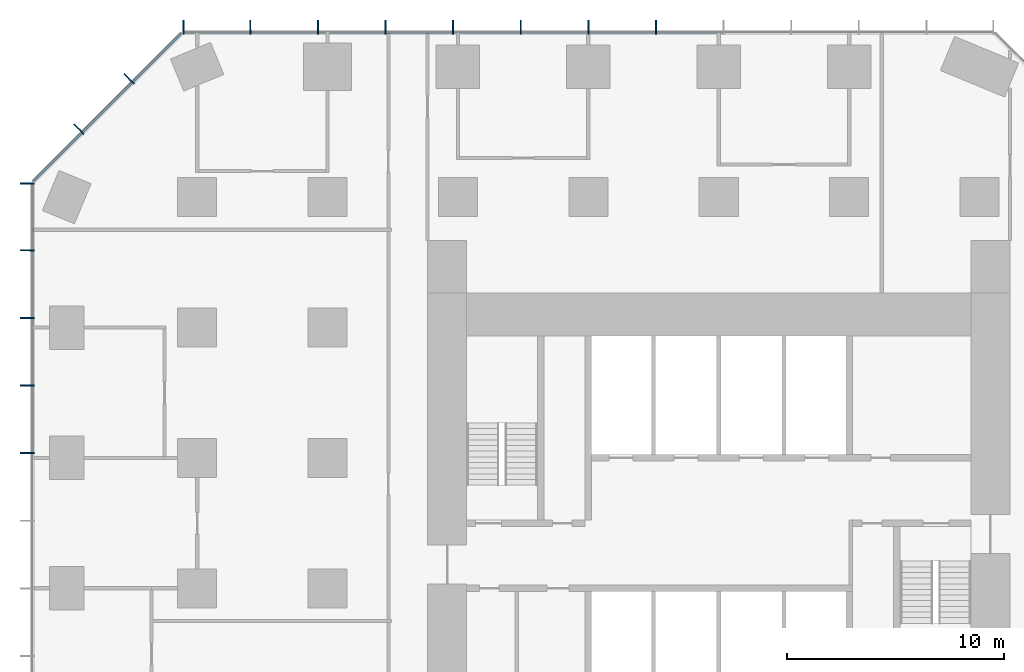
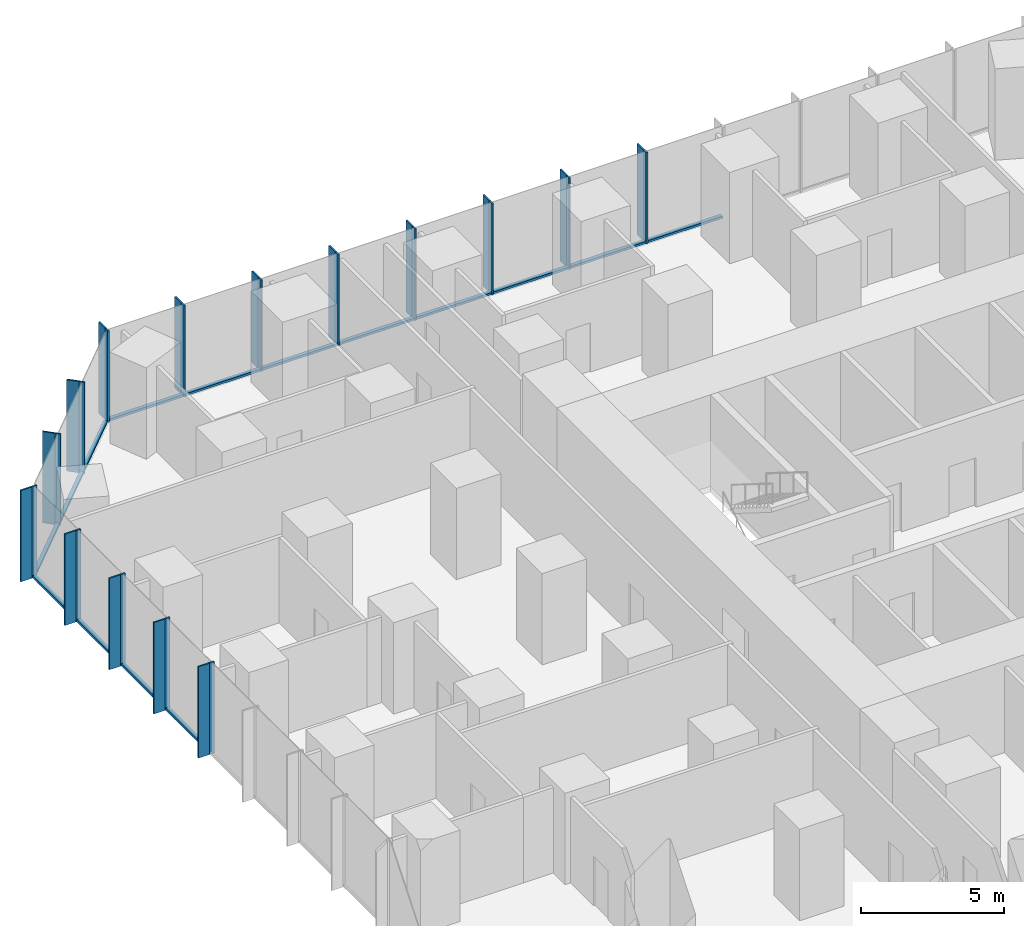
# One storey, part 5 of 11: 45 members, 3 elements without a shape of their own.
"""IFC4 building model written with IfcOpenShell, lengths in metres."""

from ifc_helpers import new_model, si_unit, direction, frame, origin, origin_2d, place, context, subcontext, project, spatial, rectangle, extrude, material, layer, layer_set, material_profile, profile_set, type_object, element, aggregate, save


model = new_model("IFC4")

# Units and contexts
model_context = context("Model", 3, precision=1e-05, world=origin(), true_north=direction((0.0, 1.0)))
body_context = subcontext(model_context, "Body", "Model", "MODEL_VIEW")
ifc_project = project(units=[si_unit("LENGTHUNIT", "METRE"), si_unit("AREAUNIT", "SQUARE_METRE"), si_unit("VOLUMEUNIT", "CUBIC_METRE"), si_unit("PLANEANGLEUNIT", "RADIAN"), si_unit("MASSUNIT", "GRAM", prefix="KILO")], contexts=[model_context])

# Site, building, storey
site_placement = place(None, origin())
site = spatial("IfcSite", under=ifc_project, at=site_placement, CompositionType="ELEMENT")
building_placement = place(site_placement, origin())
building = spatial("IfcBuilding", under=site, at=building_placement, Name="Highveld Stack Headquarters", CompositionType="ELEMENT")
storey_placement = place(building_placement, frame((0.0, 0.0, 29.89990234375)))
storey = spatial("IfcBuildingStorey", under=building, at=storey_placement, Name="L06", CompositionType="ELEMENT", Elevation=29.89990234375)

# Curtain wall, members
ifc_material_1 = material(Name="Aluminium bronze anodised", Category="aluminium")
ifc_layer_1 = layer(ifc_material_1, 0.199951171875)
ifc_layer_set_1 = layer_set([ifc_layer_1], Name="Aluminium bronze anodised")
curtain_wall_type_1 = type_object("IfcCurtainWallType", Name="CW1 TOWER UNITISED CURTAIN WALL", PredefinedType="NOTDEFINED", material=ifc_layer_set_1)
curtain_wall_1_placement = place(storey_placement, origin())
curtain_wall_1 = element("IfcCurtainWall", 1, at=curtain_wall_1_placement, inside=storey, type_object=curtain_wall_type_1, Name="Curtain wall CW1 L06 N", PredefinedType="NOTDEFINED")
ifc_material_2 = material(Name="Aluminium bronze anodised", Category="aluminium")
ifc_material_profile_1 = material_profile(ifc_material_2, rectangle(XDim=0.449951171875, YDim=0.06005859375, at=origin_2d()), Name="FIN 450x60")
ifc_profile_set_1 = profile_set([ifc_material_profile_1], Name="Aluminium bronze anodised")
member_type_1 = type_object("IfcMemberType", Name="CW1 BRONZE FIN 450x60", PredefinedType="USERDEFINED", material=ifc_profile_set_1)
member_1_placement = place(storey_placement, frame((3.110595703125, 25.925048828125, 0.0), z_axis=(0.0, 0.0, 1.0), x_axis=(0.0, -1.0, 0.0)))
member_1 = element("IfcMember", 2, at=member_1_placement, type_object=member_type_1, Name="CW1 fin L06 6", ObjectType="FIN", PredefinedType="USERDEFINED", context=body_context, shape_type="SweptSolid", body=[
    extrude(rectangle(XDim=0.449951171875, YDim=0.06005859375, at=origin_2d()), origin(), (0.0, 0.0, 1.0), 3.900146484375),
])
member_2_placement = place(storey_placement, frame((0.0, 25.925048828125, 0.0), z_axis=(0.0, 0.0, 1.0), x_axis=(0.0, -1.0, 0.0)))
member_2 = element("IfcMember", 3, at=member_2_placement, type_object=member_type_1, Name="CW1 fin L06 7", ObjectType="FIN", PredefinedType="USERDEFINED", context=body_context, shape_type="SweptSolid", body=[
    extrude(rectangle(XDim=0.449951171875, YDim=0.06005859375, at=origin_2d()), origin(), (0.0, 0.0, 1.0), 3.900146484375),
])
member_3_placement = place(storey_placement, frame((-3.110595703125, 25.925048828125, 0.0), z_axis=(0.0, 0.0, 1.0), x_axis=(0.0, -1.0, 0.0)))
member_3 = element("IfcMember", 4, at=member_3_placement, type_object=member_type_1, Name="CW1 fin L06 8", ObjectType="FIN", PredefinedType="USERDEFINED", context=body_context, shape_type="SweptSolid", body=[
    extrude(rectangle(XDim=0.449951171875, YDim=0.06005859375, at=origin_2d()), origin(), (0.0, 0.0, 1.0), 3.900146484375),
])
member_4_placement = place(storey_placement, frame((-6.220947265625, 25.925048828125, 0.0), z_axis=(0.0, 0.0, 1.0), x_axis=(0.0, -1.0, 0.0)))
member_4 = element("IfcMember", 5, at=member_4_placement, type_object=member_type_1, Name="CW1 fin L06 9", ObjectType="FIN", PredefinedType="USERDEFINED", context=body_context, shape_type="SweptSolid", body=[
    extrude(rectangle(XDim=0.449951171875, YDim=0.06005859375, at=origin_2d()), origin(), (0.0, 0.0, 1.0), 3.900146484375),
])
member_5_placement = place(storey_placement, frame((-9.331298828125, 25.925048828125, 0.0), z_axis=(0.0, 0.0, 1.0), x_axis=(0.0, -1.0, 0.0)))
member_5 = element("IfcMember", 6, at=member_5_placement, type_object=member_type_1, Name="CW1 fin L06 10", ObjectType="FIN", PredefinedType="USERDEFINED", context=body_context, shape_type="SweptSolid", body=[
    extrude(rectangle(XDim=0.449951171875, YDim=0.06005859375, at=origin_2d()), origin(), (0.0, 0.0, 1.0), 3.900146484375),
])
member_6_placement = place(storey_placement, frame((-12.44189453125, 25.925048828125, 0.0), z_axis=(0.0, 0.0, 1.0), x_axis=(0.0, -1.0, 0.0)))
member_6 = element("IfcMember", 7, at=member_6_placement, type_object=member_type_1, Name="CW1 fin L06 11", ObjectType="FIN", PredefinedType="USERDEFINED", context=body_context, shape_type="SweptSolid", body=[
    extrude(rectangle(XDim=0.449951171875, YDim=0.06005859375, at=origin_2d()), origin(), (0.0, 0.0, 1.0), 3.900146484375),
])
member_7_placement = place(storey_placement, frame((-15.55224609375, 25.925048828125, 0.0), z_axis=(0.0, 0.0, 1.0), x_axis=(0.0, -1.0, 0.0)))
member_7 = element("IfcMember", 8, at=member_7_placement, type_object=member_type_1, Name="CW1 fin L06 12", ObjectType="FIN", PredefinedType="USERDEFINED", context=body_context, shape_type="SweptSolid", body=[
    extrude(rectangle(XDim=0.449951171875, YDim=0.06005859375, at=origin_2d()), origin(), (0.0, 0.0, 1.0), 3.900146484375),
])
member_8_placement = place(storey_placement, frame((-18.630126953125, 25.925048828125, 0.0), z_axis=(0.0, 0.0, 1.0), x_axis=(0.0, -1.0, 0.0)))
member_8 = element("IfcMember", 9, at=member_8_placement, type_object=member_type_1, Name="CW1 fin L06 13", ObjectType="FIN", PredefinedType="USERDEFINED", context=body_context, shape_type="SweptSolid", body=[
    extrude(rectangle(XDim=0.449951171875, YDim=0.06005859375, at=origin_2d()), origin(), (0.0, 0.0, 1.0), 3.900146484375),
])

curtain_wall_2_placement = place(storey_placement, origin())
curtain_wall_2 = element("IfcCurtainWall", 10, at=curtain_wall_2_placement, inside=storey, type_object=curtain_wall_type_1, Name="Curtain wall CW1 L06 W", PredefinedType="NOTDEFINED")
member_9_placement = place(storey_placement, frame((-25.925048828125, 18.630126953125, 0.0), z_axis=(0.0, 0.0, 1.0), x_axis=(1.0, 0.0, 0.0)))
member_9 = element("IfcMember", 11, at=member_9_placement, type_object=member_type_1, Name="CW1 fin L06 1", ObjectType="FIN", PredefinedType="USERDEFINED", context=body_context, shape_type="SweptSolid", body=[
    extrude(rectangle(XDim=0.449951171875, YDim=0.06005859375, at=origin_2d()), origin(), (0.0, 0.0, 1.0), 3.900146484375),
])
member_10_placement = place(storey_placement, frame((-25.925048828125, 15.55224609375, 0.0), z_axis=(0.0, 0.0, 1.0), x_axis=(1.0, 0.0, 0.0)))
member_10 = element("IfcMember", 12, at=member_10_placement, type_object=member_type_1, Name="CW1 fin L06 2", ObjectType="FIN", PredefinedType="USERDEFINED", context=body_context, shape_type="SweptSolid", body=[
    extrude(rectangle(XDim=0.449951171875, YDim=0.06005859375, at=origin_2d()), origin(), (0.0, 0.0, 1.0), 3.900146484375),
])
member_11_placement = place(storey_placement, frame((-25.925048828125, 12.44189453125, 0.0), z_axis=(0.0, 0.0, 1.0), x_axis=(1.0, 0.0, 0.0)))
member_11 = element("IfcMember", 13, at=member_11_placement, type_object=member_type_1, Name="CW1 fin L06 3", ObjectType="FIN", PredefinedType="USERDEFINED", context=body_context, shape_type="SweptSolid", body=[
    extrude(rectangle(XDim=0.449951171875, YDim=0.06005859375, at=origin_2d()), origin(), (0.0, 0.0, 1.0), 3.900146484375),
])
member_12_placement = place(storey_placement, frame((-25.925048828125, 9.331298828125, 0.0), z_axis=(0.0, 0.0, 1.0), x_axis=(1.0, 0.0, 0.0)))
member_12 = element("IfcMember", 14, at=member_12_placement, type_object=member_type_1, Name="CW1 fin L06 4", ObjectType="FIN", PredefinedType="USERDEFINED", context=body_context, shape_type="SweptSolid", body=[
    extrude(rectangle(XDim=0.449951171875, YDim=0.06005859375, at=origin_2d()), origin(), (0.0, 0.0, 1.0), 3.900146484375),
])
member_13_placement = place(storey_placement, frame((-25.925048828125, 6.220947265625, 0.0), z_axis=(0.0, 0.0, 1.0), x_axis=(1.0, 0.0, 0.0)))
member_13 = element("IfcMember", 15, at=member_13_placement, type_object=member_type_1, Name="CW1 fin L06 5", ObjectType="FIN", PredefinedType="USERDEFINED", context=body_context, shape_type="SweptSolid", body=[
    extrude(rectangle(XDim=0.449951171875, YDim=0.06005859375, at=origin_2d()), origin(), (0.0, 0.0, 1.0), 3.900146484375),
])

# Member
ifc_material_3 = material(Name="Aluminium bronze anodised", Category="aluminium")
ifc_material_profile_2 = material_profile(ifc_material_3, rectangle(XDim=0.199951171875, YDim=0.06494140625, at=origin_2d()), Name="CW1 MULLION 65x200")
ifc_profile_set_2 = profile_set([ifc_material_profile_2], Name="Aluminium bronze anodised")
member_type_2 = type_object("IfcMemberType", Name="CW1 MULLION 65x200", PredefinedType="MULLION", material=ifc_profile_set_2)
member_14_placement = place(storey_placement, frame((3.110595703125, 25.60009765625, 0.0), z_axis=(0.0, 0.0, 1.0), x_axis=(0.0, -1.0, 0.0)))
member_14 = element("IfcMember", 16, at=member_14_placement, type_object=member_type_2, Name="CW1 mullion L06 6", PredefinedType="MULLION", context=body_context, shape_type="SweptSolid", body=[
    extrude(rectangle(XDim=0.199951171875, YDim=0.06494140625, at=origin_2d()), origin(), (0.0, 0.0, 1.0), 3.900146484375),
])

member_15_placement = place(storey_placement, frame((0.0, 25.60009765625, 0.0), z_axis=(0.0, 0.0, 1.0), x_axis=(0.0, -1.0, 0.0)))
member_15 = element("IfcMember", 17, at=member_15_placement, type_object=member_type_2, Name="CW1 mullion L06 7", PredefinedType="MULLION", context=body_context, shape_type="SweptSolid", body=[
    extrude(rectangle(XDim=0.199951171875, YDim=0.06494140625, at=origin_2d()), origin(), (0.0, 0.0, 1.0), 3.900146484375),
])

member_16_placement = place(storey_placement, frame((-3.110595703125, 25.60009765625, 0.0), z_axis=(0.0, 0.0, 1.0), x_axis=(0.0, -1.0, 0.0)))
member_16 = element("IfcMember", 18, at=member_16_placement, type_object=member_type_2, Name="CW1 mullion L06 8", PredefinedType="MULLION", context=body_context, shape_type="SweptSolid", body=[
    extrude(rectangle(XDim=0.199951171875, YDim=0.06494140625, at=origin_2d()), origin(), (0.0, 0.0, 1.0), 3.900146484375),
])

member_17_placement = place(storey_placement, frame((-6.220947265625, 25.60009765625, 0.0), z_axis=(0.0, 0.0, 1.0), x_axis=(0.0, -1.0, 0.0)))
member_17 = element("IfcMember", 19, at=member_17_placement, type_object=member_type_2, Name="CW1 mullion L06 9", PredefinedType="MULLION", context=body_context, shape_type="SweptSolid", body=[
    extrude(rectangle(XDim=0.199951171875, YDim=0.06494140625, at=origin_2d()), origin(), (0.0, 0.0, 1.0), 3.900146484375),
])

member_18_placement = place(storey_placement, frame((-9.331298828125, 25.60009765625, 0.0), z_axis=(0.0, 0.0, 1.0), x_axis=(0.0, -1.0, 0.0)))
member_18 = element("IfcMember", 20, at=member_18_placement, type_object=member_type_2, Name="CW1 mullion L06 10", PredefinedType="MULLION", context=body_context, shape_type="SweptSolid", body=[
    extrude(rectangle(XDim=0.199951171875, YDim=0.06494140625, at=origin_2d()), origin(), (0.0, 0.0, 1.0), 3.900146484375),
])

member_19_placement = place(storey_placement, frame((-12.44189453125, 25.60009765625, 0.0), z_axis=(0.0, 0.0, 1.0), x_axis=(0.0, -1.0, 0.0)))
member_19 = element("IfcMember", 21, at=member_19_placement, type_object=member_type_2, Name="CW1 mullion L06 11", PredefinedType="MULLION", context=body_context, shape_type="SweptSolid", body=[
    extrude(rectangle(XDim=0.199951171875, YDim=0.06494140625, at=origin_2d()), origin(), (0.0, 0.0, 1.0), 3.900146484375),
])

member_20_placement = place(storey_placement, frame((-15.55224609375, 25.60009765625, 0.0), z_axis=(0.0, 0.0, 1.0), x_axis=(0.0, -1.0, 0.0)))
member_20 = element("IfcMember", 22, at=member_20_placement, type_object=member_type_2, Name="CW1 mullion L06 12", PredefinedType="MULLION", context=body_context, shape_type="SweptSolid", body=[
    extrude(rectangle(XDim=0.199951171875, YDim=0.06494140625, at=origin_2d()), origin(), (0.0, 0.0, 1.0), 3.900146484375),
])

member_21_placement = place(storey_placement, frame((-18.630126953125, 25.60009765625, 0.0), z_axis=(0.0, 0.0, 1.0), x_axis=(0.0, -1.0, 0.0)))
member_21 = element("IfcMember", 23, at=member_21_placement, type_object=member_type_2, Name="CW1 mullion L06 13", PredefinedType="MULLION", context=body_context, shape_type="SweptSolid", body=[
    extrude(rectangle(XDim=0.199951171875, YDim=0.06494140625, at=origin_2d()), origin(), (0.0, 0.0, 1.0), 3.900146484375),
])

member_22_placement = place(storey_placement, frame((-25.60009765625, 18.630126953125, 0.0), z_axis=(0.0, 0.0, 1.0), x_axis=(1.0, 0.0, 0.0)))
member_22 = element("IfcMember", 24, at=member_22_placement, type_object=member_type_2, Name="CW1 mullion L06 1", PredefinedType="MULLION", context=body_context, shape_type="SweptSolid", body=[
    extrude(rectangle(XDim=0.199951171875, YDim=0.06494140625, at=origin_2d()), origin(), (0.0, 0.0, 1.0), 3.900146484375),
])

member_23_placement = place(storey_placement, frame((-25.60009765625, 15.55224609375, 0.0), z_axis=(0.0, 0.0, 1.0), x_axis=(1.0, 0.0, 0.0)))
member_23 = element("IfcMember", 25, at=member_23_placement, type_object=member_type_2, Name="CW1 mullion L06 2", PredefinedType="MULLION", context=body_context, shape_type="SweptSolid", body=[
    extrude(rectangle(XDim=0.199951171875, YDim=0.06494140625, at=origin_2d()), origin(), (0.0, 0.0, 1.0), 3.900146484375),
])

member_24_placement = place(storey_placement, frame((-25.60009765625, 12.44189453125, 0.0), z_axis=(0.0, 0.0, 1.0), x_axis=(1.0, 0.0, 0.0)))
member_24 = element("IfcMember", 26, at=member_24_placement, type_object=member_type_2, Name="CW1 mullion L06 3", PredefinedType="MULLION", context=body_context, shape_type="SweptSolid", body=[
    extrude(rectangle(XDim=0.199951171875, YDim=0.06494140625, at=origin_2d()), origin(), (0.0, 0.0, 1.0), 3.900146484375),
])

member_25_placement = place(storey_placement, frame((-25.60009765625, 9.331298828125, 0.0), z_axis=(0.0, 0.0, 1.0), x_axis=(1.0, 0.0, 0.0)))
member_25 = element("IfcMember", 27, at=member_25_placement, type_object=member_type_2, Name="CW1 mullion L06 4", PredefinedType="MULLION", context=body_context, shape_type="SweptSolid", body=[
    extrude(rectangle(XDim=0.199951171875, YDim=0.06494140625, at=origin_2d()), origin(), (0.0, 0.0, 1.0), 3.900146484375),
])

member_26_placement = place(storey_placement, frame((-25.60009765625, 6.220947265625, 0.0), z_axis=(0.0, 0.0, 1.0), x_axis=(1.0, 0.0, 0.0)))
member_26 = element("IfcMember", 28, at=member_26_placement, type_object=member_type_2, Name="CW1 mullion L06 5", PredefinedType="MULLION", context=body_context, shape_type="SweptSolid", body=[
    extrude(rectangle(XDim=0.199951171875, YDim=0.06494140625, at=origin_2d()), origin(), (0.0, 0.0, 1.0), 3.900146484375),
])

ifc_material_4 = material(Name="Aluminium bronze anodised", Category="aluminium")
ifc_material_profile_3 = material_profile(ifc_material_4, rectangle(XDim=0.14990234375, YDim=0.10009765625, at=origin_2d()), Name="CW1 TRANSOM 150x100")
ifc_profile_set_3 = profile_set([ifc_material_profile_3], Name="Aluminium bronze anodised")
member_type_3 = type_object("IfcMemberType", Name="CW1 STACK TRANSOM 150x100", PredefinedType="USERDEFINED", material=ifc_profile_set_3)
member_27_placement = place(storey_placement, frame((6.1884765625, 25.60009765625, 0.050048828125), z_axis=(-1.0, 0.0, 0.0), x_axis=(0.0, -1.0, 0.0)))
member_27 = element("IfcMember", 29, at=member_27_placement, type_object=member_type_3, Name="CW1 transom L06 5.1", ObjectType="TRANSOM", PredefinedType="USERDEFINED", context=body_context, shape_type="SweptSolid", body=[
    extrude(rectangle(XDim=0.14990234375, YDim=0.10009765625, at=origin_2d()), origin(), (0.0, 0.0, 1.0), 3.04541015625),
])

member_28_placement = place(storey_placement, frame((3.077880859375, 25.60009765625, 0.050048828125), z_axis=(-1.0, 0.0, 0.0), x_axis=(0.0, -1.0, 0.0)))
member_28 = element("IfcMember", 30, at=member_28_placement, type_object=member_type_3, Name="CW1 transom L06 6.1", ObjectType="TRANSOM", PredefinedType="USERDEFINED", context=body_context, shape_type="SweptSolid", body=[
    extrude(rectangle(XDim=0.14990234375, YDim=0.10009765625, at=origin_2d()), origin(), (0.0, 0.0, 1.0), 3.04541015625),
])

member_29_placement = place(storey_placement, frame((-0.032470703125, 25.60009765625, 0.050048828125), z_axis=(-1.0, 0.0, 0.0), x_axis=(0.0, -1.0, 0.0)))
member_29 = element("IfcMember", 31, at=member_29_placement, type_object=member_type_3, Name="CW1 transom L06 7.1", ObjectType="TRANSOM", PredefinedType="USERDEFINED", context=body_context, shape_type="SweptSolid", body=[
    extrude(rectangle(XDim=0.14990234375, YDim=0.10009765625, at=origin_2d()), origin(), (0.0, 0.0, 1.0), 3.04541015625),
])

member_30_placement = place(storey_placement, frame((-3.142822265625, 25.60009765625, 0.050048828125), z_axis=(-1.0, 0.0, 0.0), x_axis=(0.0, -1.0, 0.0)))
member_30 = element("IfcMember", 32, at=member_30_placement, type_object=member_type_3, Name="CW1 transom L06 8.1", ObjectType="TRANSOM", PredefinedType="USERDEFINED", context=body_context, shape_type="SweptSolid", body=[
    extrude(rectangle(XDim=0.14990234375, YDim=0.10009765625, at=origin_2d()), origin(), (0.0, 0.0, 1.0), 3.045654296875),
])

member_31_placement = place(storey_placement, frame((-6.25341796875, 25.60009765625, 0.050048828125), z_axis=(-1.0, 0.0, 0.0), x_axis=(0.0, -1.0, 0.0)))
member_31 = element("IfcMember", 33, at=member_31_placement, type_object=member_type_3, Name="CW1 transom L06 9.1", ObjectType="TRANSOM", PredefinedType="USERDEFINED", context=body_context, shape_type="SweptSolid", body=[
    extrude(rectangle(XDim=0.14990234375, YDim=0.10009765625, at=origin_2d()), origin(), (0.0, 0.0, 1.0), 3.04541015625),
])

member_32_placement = place(storey_placement, frame((-9.36376953125, 25.60009765625, 0.050048828125), z_axis=(-1.0, 0.0, 0.0), x_axis=(0.0, -1.0, 0.0)))
member_32 = element("IfcMember", 34, at=member_32_placement, type_object=member_type_3, Name="CW1 transom L06 10.1", ObjectType="TRANSOM", PredefinedType="USERDEFINED", context=body_context, shape_type="SweptSolid", body=[
    extrude(rectangle(XDim=0.14990234375, YDim=0.10009765625, at=origin_2d()), origin(), (0.0, 0.0, 1.0), 3.04541015625),
])

member_33_placement = place(storey_placement, frame((-12.474365234375, 25.60009765625, 0.050048828125), z_axis=(-1.0, 0.0, 0.0), x_axis=(0.0, -1.0, 0.0)))
member_33 = element("IfcMember", 35, at=member_33_placement, type_object=member_type_3, Name="CW1 transom L06 11.1", ObjectType="TRANSOM", PredefinedType="USERDEFINED", context=body_context, shape_type="SweptSolid", body=[
    extrude(rectangle(XDim=0.14990234375, YDim=0.10009765625, at=origin_2d()), origin(), (0.0, 0.0, 1.0), 3.04541015625),
])

member_34_placement = place(storey_placement, frame((-15.584716796875, 25.60009765625, 0.050048828125), z_axis=(-1.0, 0.0, 0.0), x_axis=(0.0, -1.0, 0.0)))
member_34 = element("IfcMember", 36, at=member_34_placement, type_object=member_type_3, Name="CW1 transom L06 12.1", ObjectType="TRANSOM", PredefinedType="USERDEFINED", context=body_context, shape_type="SweptSolid", body=[
    extrude(rectangle(XDim=0.14990234375, YDim=0.10009765625, at=origin_2d()), origin(), (0.0, 0.0, 1.0), 3.012939453125),
])

aggregate(curtain_wall_1, [member_14, member_1, member_15, member_2, member_16, member_3, member_17, member_4, member_18, member_5, member_19, member_6, member_20, member_7, member_21, member_8, member_27, member_28, member_29, member_30, member_31, member_32, member_33, member_34])

member_35_placement = place(storey_placement, frame((-25.60009765625, 18.59765625, 0.050048828125), z_axis=(0.0, -1.0, 0.0), x_axis=(1.0, 0.0, 0.0)))
member_35 = element("IfcMember", 37, at=member_35_placement, type_object=member_type_3, Name="CW1 transom L06 1.1", ObjectType="TRANSOM", PredefinedType="USERDEFINED", context=body_context, shape_type="SweptSolid", body=[
    extrude(rectangle(XDim=0.14990234375, YDim=0.10009765625, at=origin_2d()), origin(), (0.0, 0.0, 1.0), 3.012939453125),
])

member_36_placement = place(storey_placement, frame((-25.60009765625, 15.519775390625, 0.050048828125), z_axis=(0.0, -1.0, 0.0), x_axis=(1.0, 0.0, 0.0)))
member_36 = element("IfcMember", 38, at=member_36_placement, type_object=member_type_3, Name="CW1 transom L06 2.1", ObjectType="TRANSOM", PredefinedType="USERDEFINED", context=body_context, shape_type="SweptSolid", body=[
    extrude(rectangle(XDim=0.14990234375, YDim=0.10009765625, at=origin_2d()), origin(), (0.0, 0.0, 1.0), 3.04541015625),
])

member_37_placement = place(storey_placement, frame((-25.60009765625, 12.4091796875, 0.050048828125), z_axis=(0.0, -1.0, 0.0), x_axis=(1.0, 0.0, 0.0)))
member_37 = element("IfcMember", 39, at=member_37_placement, type_object=member_type_3, Name="CW1 transom L06 3.1", ObjectType="TRANSOM", PredefinedType="USERDEFINED", context=body_context, shape_type="SweptSolid", body=[
    extrude(rectangle(XDim=0.14990234375, YDim=0.10009765625, at=origin_2d()), origin(), (0.0, 0.0, 1.0), 3.045166015625),
])

member_38_placement = place(storey_placement, frame((-25.60009765625, 9.298828125, 0.050048828125), z_axis=(0.0, -1.0, 0.0), x_axis=(1.0, 0.0, 0.0)))
member_38 = element("IfcMember", 40, at=member_38_placement, type_object=member_type_3, Name="CW1 transom L06 4.1", ObjectType="TRANSOM", PredefinedType="USERDEFINED", context=body_context, shape_type="SweptSolid", body=[
    extrude(rectangle(XDim=0.14990234375, YDim=0.10009765625, at=origin_2d()), origin(), (0.0, 0.0, 1.0), 3.04541015625),
])

aggregate(curtain_wall_2, [member_22, member_9, member_23, member_10, member_24, member_11, member_25, member_12, member_26, member_13, member_35, member_36, member_37, member_38])

# Curtain wall, members
ifc_material_5 = material(Name="Aluminium bronze anodised", Category="aluminium")
ifc_layer_2 = layer(ifc_material_5, 0.199951171875)
ifc_layer_set_2 = layer_set([ifc_layer_2], Name="Aluminium bronze anodised")
curtain_wall_type_2 = type_object("IfcCurtainWallType", Name="CW2 TOWER CHAMFER UNITISED CURTAIN WALL", PredefinedType="NOTDEFINED", material=ifc_layer_set_2)
curtain_wall_3_placement = place(storey_placement, origin())
curtain_wall_3 = element("IfcCurtainWall", 41, at=curtain_wall_3_placement, inside=storey, type_object=curtain_wall_type_2, Name="Curtain wall CW2 L06 NW", PredefinedType="NOTDEFINED")
ifc_material_6 = material(Name="Aluminium bronze anodised", Category="aluminium")
ifc_material_profile_4 = material_profile(ifc_material_6, rectangle(XDim=0.449951171875, YDim=0.06005859375, at=origin_2d()), Name="FIN 450x60")
ifc_profile_set_4 = profile_set([ifc_material_profile_4], Name="Aluminium bronze anodised")
member_type_4 = type_object("IfcMemberType", Name="CW2 BRONZE FIN 450x60", PredefinedType="USERDEFINED", material=ifc_profile_set_4)
member_39_placement = place(storey_placement, frame((-21.204833984375, 23.517333984375, 0.0), z_axis=(0.0, 0.0, 1.0), x_axis=(0.707106781187, -0.707106781187, 0.0)))
member_39 = element("IfcMember", 42, at=member_39_placement, type_object=member_type_4, Name="CW2 fin L06 1", ObjectType="FIN", PredefinedType="USERDEFINED", context=body_context, shape_type="SweptSolid", body=[
    extrude(rectangle(XDim=0.449951171875, YDim=0.06005859375, at=origin_2d()), origin(), (0.0, 0.0, 1.0), 3.900146484375),
])
member_40_placement = place(storey_placement, frame((-23.517333984375, 21.204833984375, 0.0), z_axis=(0.0, 0.0, 1.0), x_axis=(0.707106781187, -0.707106781187, 0.0)))
member_40 = element("IfcMember", 43, at=member_40_placement, type_object=member_type_4, Name="CW2 fin L06 2", ObjectType="FIN", PredefinedType="USERDEFINED", context=body_context, shape_type="SweptSolid", body=[
    extrude(rectangle(XDim=0.449951171875, YDim=0.06005859375, at=origin_2d()), origin(), (0.0, 0.0, 1.0), 3.900146484375),
])
ifc_material_7 = material(Name="Aluminium bronze anodised", Category="aluminium")
ifc_material_profile_5 = material_profile(ifc_material_7, rectangle(XDim=0.199951171875, YDim=0.06494140625, at=origin_2d()), Name="CW2 MULLION 65x200")
ifc_profile_set_5 = profile_set([ifc_material_profile_5], Name="Aluminium bronze anodised")
member_type_5 = type_object("IfcMemberType", Name="CW2 MULLION 65x200", PredefinedType="MULLION", material=ifc_profile_set_5)
member_41_placement = place(storey_placement, frame((-20.97509765625, 23.28759765625, 0.0), z_axis=(0.0, 0.0, 1.0), x_axis=(0.707106781187, -0.707106781187, 0.0)))
member_41 = element("IfcMember", 44, at=member_41_placement, type_object=member_type_5, Name="CW2 mullion L06 1", PredefinedType="MULLION", context=body_context, shape_type="SweptSolid", body=[
    extrude(rectangle(XDim=0.199951171875, YDim=0.06494140625, at=origin_2d()), origin(), (0.0, 0.0, 1.0), 3.900146484375),
])
member_42_placement = place(storey_placement, frame((-23.28759765625, 20.97509765625, 0.0), z_axis=(0.0, 0.0, 1.0), x_axis=(0.707106781187, -0.707106781187, 0.0)))
member_42 = element("IfcMember", 45, at=member_42_placement, type_object=member_type_5, Name="CW2 mullion L06 2", PredefinedType="MULLION", context=body_context, shape_type="SweptSolid", body=[
    extrude(rectangle(XDim=0.199951171875, YDim=0.06494140625, at=origin_2d()), origin(), (0.0, 0.0, 1.0), 3.900146484375),
])
ifc_material_8 = material(Name="Aluminium bronze anodised", Category="aluminium")
ifc_material_profile_6 = material_profile(ifc_material_8, rectangle(XDim=0.14990234375, YDim=0.10009765625, at=origin_2d()), Name="CW2 TRANSOM 150x100")
ifc_profile_set_6 = profile_set([ifc_material_profile_6], Name="Aluminium bronze anodised")
member_type_6 = type_object("IfcMemberType", Name="CW2 STACK TRANSOM 150x100", PredefinedType="USERDEFINED", material=ifc_profile_set_6)
member_43_placement = place(storey_placement, frame((-18.7333984375, 25.529296875, 0.050048828125), z_axis=(-0.707106781187, -0.707106781187, 0.0), x_axis=(0.707106781187, -0.707106781187, 0.0)))
member_43 = element("IfcMember", 46, at=member_43_placement, type_object=member_type_6, Name="CW2 transom L06 1.1", ObjectType="TRANSOM", PredefinedType="USERDEFINED", context=body_context, shape_type="SweptSolid", body=[
    extrude(rectangle(XDim=0.14990234375, YDim=0.10009765625, at=origin_2d()), origin(), (0.0, 0.0, 1.0), 3.1376953125),
])
member_44_placement = place(storey_placement, frame((-20.998046875, 23.2646484375, 0.050048828125), z_axis=(-0.707106781187, -0.707106781187, 0.0), x_axis=(0.707106781187, -0.707106781187, 0.0)))
member_44 = element("IfcMember", 47, at=member_44_placement, type_object=member_type_6, Name="CW2 transom L06 2.1", ObjectType="TRANSOM", PredefinedType="USERDEFINED", context=body_context, shape_type="SweptSolid", body=[
    extrude(rectangle(XDim=0.14990234375, YDim=0.10009765625, at=origin_2d()), origin(), (0.0, 0.0, 1.0), 3.20556640625),
])
member_45_placement = place(storey_placement, frame((-23.310546875, 20.9521484375, 0.050048828125), z_axis=(-0.707106781187, -0.707106781187, 0.0), x_axis=(0.707106781187, -0.707106781187, 0.0)))
member_45 = element("IfcMember", 48, at=member_45_placement, type_object=member_type_6, Name="CW2 transom L06 3.1", ObjectType="TRANSOM", PredefinedType="USERDEFINED", context=body_context, shape_type="SweptSolid", body=[
    extrude(rectangle(XDim=0.14990234375, YDim=0.10009765625, at=origin_2d()), origin(), (0.0, 0.0, 1.0), 3.1376953125),
])
aggregate(curtain_wall_3, [member_41, member_39, member_42, member_40, member_43, member_44, member_45])

save(model, "model.ifc")
